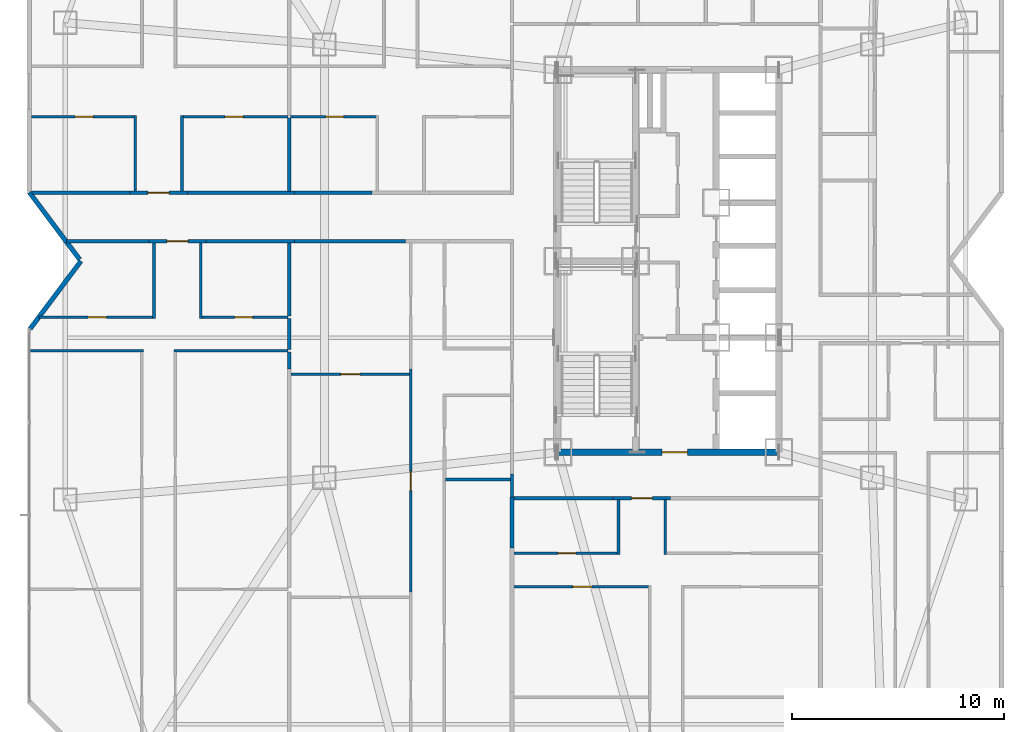
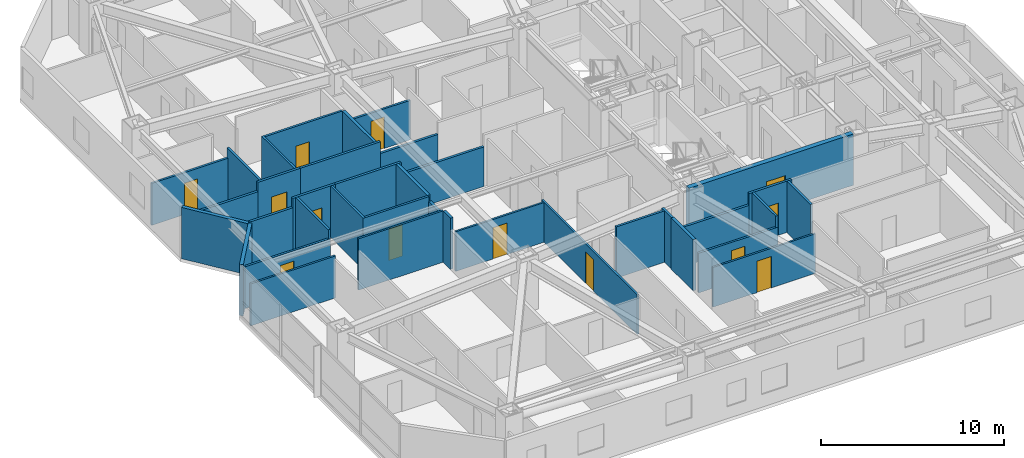
# One storey, part 12 of 18: 37 walls, 13 doors, 13 openings.
"""IFC4 building model written with IfcOpenShell, lengths in metres."""

from ifc_helpers import new_model, si_unit, direction, frame, frame_2d, origin, place, context, subcontext, project, spatial, rectangle, extrude, material, layer, layer_set, type_object, element, fill, save


model = new_model("IFC4")

# Units and contexts
model_context = context("Model", 3, precision=1e-05, world=origin(), true_north=direction((0.0, 1.0)))
body_context = subcontext(model_context, "Body", "Model", "MODEL_VIEW")
ifc_project = project(units=[si_unit("LENGTHUNIT", "METRE"), si_unit("AREAUNIT", "SQUARE_METRE"), si_unit("VOLUMEUNIT", "CUBIC_METRE"), si_unit("PLANEANGLEUNIT", "RADIAN"), si_unit("MASSUNIT", "GRAM", prefix="KILO")], contexts=[model_context])

# Site, building, storey
site_placement = place(None, origin())
site = spatial("IfcSite", under=ifc_project, at=site_placement, CompositionType="ELEMENT")
building_placement = place(site_placement, origin())
building = spatial("IfcBuilding", under=site, at=building_placement, Name="Khamvora Tower", CompositionType="ELEMENT")
storey_placement = place(building_placement, frame((0.0, 0.0, 69.800048828125)))
storey = spatial("IfcBuildingStorey", under=building, at=storey_placement, Name="L17", CompositionType="ELEMENT", Elevation=69.800048828125)

# Wall, opening, door
ifc_material_1 = material(Name="Concrete C50/60", Category="concrete")
ifc_layer_1 = layer(ifc_material_1, 0.300048828125)
ifc_layer_set_1 = layer_set([ifc_layer_1], Name="Concrete C50/60")
wall_type_1 = type_object("IfcWallType", Name="WAL-CORE-300", PredefinedType="SHEAR", material=ifc_layer_set_1)
wall_1_placement = place(storey_placement, frame((29.0, 19.0, 0.0), z_axis=(0.0, 0.0, 1.0), x_axis=(1.0, 0.0, 0.0)))
wall_1 = element("IfcWall", 1, at=wall_1_placement, inside=storey, type_object=wall_type_1, Name="L17 central core south wall", PredefinedType="SHEAR", context=body_context, shape_type="SweptSolid", body=[
    extrude(rectangle(XDim=10.39990234375, YDim=0.300048828125, at=frame_2d((5.199951171875, 0.0))), origin(), (0.0, 0.0, 1.0), 3.429931640625),
])
opening_1_placement = place(wall_1_placement, frame((4.89990234375, 0.0, 0.0)))
opening_1 = element("IfcOpeningElement", 2, at=opening_1_placement, cuts=wall_1, Name="Opening D-CR1", PredefinedType="OPENING", context=body_context, shape_type="SweptSolid", body=[
    extrude(rectangle(XDim=1.199951171875, YDim=2.14990234375, at=frame_2d((0.60009765625, 1.074951171875))), frame((0.0, 0.159912109375, 0.0), z_axis=(0.0, -1.0, 0.0), x_axis=(1.0, 0.0, 0.0)), (0.0, 0.0, 1.0), 0.320068359375),
])
ifc_material_2 = material(Name="Powder-Coated Steel and Hardwood Leaf", Category="steel")
door_type_1 = type_object("IfcDoorType", Name="DOR-CORR-1200", OperationType="NOTDEFINED", PredefinedType="DOOR", material=ifc_material_2)
door_1_placement = place(opening_1_placement, origin())
door_1 = element("IfcDoor", 3, at=door_1_placement, inside=storey, type_object=door_type_1, Name="L17 south core lobby to corridor fire door", OperationType="SINGLE_SWING_RIGHT", OverallHeight=2.14990234375, OverallWidth=1.199951171875, PredefinedType="DOOR", context=body_context, shape_type="SweptSolid", body=[
    extrude(rectangle(XDim=1.199951171875, YDim=2.14990234375, at=frame_2d((0.60009765625, 1.074951171875))), frame((0.0, 0.02490234375, 0.0), z_axis=(0.0, -1.0, 0.0), x_axis=(1.0, 0.0, 0.0)), (0.0, 0.0, 1.0), 0.050048828125),
])
fill(opening_1, door_1)

ifc_material_3 = material(Name="Fire-Rated Drywall and Steel Stud", Category="steel")
ifc_layer_2 = layer(ifc_material_3, 0.14990234375)
ifc_layer_set_2 = layer_set([ifc_layer_2], Name="Fire-Rated Drywall and Steel Stud")
wall_type_2 = type_object("IfcWallType", Name="WAL-CORR-150", PredefinedType="STANDARD", material=ifc_layer_set_2)
wall_2_placement = place(storey_placement, frame((12.431884765625, 28.93505859375, 0.0), z_axis=(0.0, 0.0, 1.0), x_axis=(-1.0, 0.0, 0.0)))
wall_2 = element("IfcWall", 4, at=wall_2_placement, inside=storey, type_object=wall_type_2, Name="L17 interior partition wall 007", PredefinedType="STANDARD", context=body_context, shape_type="SweptSolid", body=[
    extrude(rectangle(XDim=2.697998046875, YDim=0.14990234375, at=frame_2d((1.34912109375, 0.0))), origin(), (0.0, 0.0, 1.0), 3.429931640625),
])
opening_2_placement = place(wall_2_placement, frame((0.84912109375, 0.0, 0.0)))
opening_2 = element("IfcOpeningElement", 5, at=opening_2_placement, cuts=wall_2, Name="Opening D-U1", PredefinedType="OPENING", context=body_context, shape_type="SweptSolid", body=[
    extrude(rectangle(XDim=1.0, YDim=2.14990234375, at=frame_2d((0.5, 1.074951171875))), frame((0.0, 0.0849609375, 0.0), z_axis=(0.0, -1.0, 0.0), x_axis=(1.0, 0.0, 0.0)), (0.0, 0.0, 1.0), 0.169921875),
])
door_type_2 = type_object("IfcDoorType", Name="DOR-UNIT-1000", OperationType="NOTDEFINED", PredefinedType="DOOR", material=ifc_material_2)
door_2_placement = place(opening_2_placement, origin())
door_2 = element("IfcDoor", 6, at=door_2_placement, inside=storey, type_object=door_type_2, Name="L17 interior door COR-17WA1H", OperationType="SINGLE_SWING_LEFT", OverallHeight=2.14990234375, OverallWidth=1.0, PredefinedType="DOOR", context=body_context, shape_type="SweptSolid", body=[
    extrude(rectangle(XDim=1.0, YDim=2.14990234375, at=frame_2d((0.5, 1.074951171875))), frame((0.0, 0.02490234375, 0.0), z_axis=(0.0, -1.0, 0.0), x_axis=(1.0, 0.0, 0.0)), (0.0, 0.0, 1.0), 0.050048828125),
])
fill(opening_2, door_2)

# Walls
wall_3_placement = place(storey_placement, frame((16.595947265625, 28.93505859375, 0.0), z_axis=(0.0, 0.0, 1.0), x_axis=(-1.0, 0.0, 0.0)))
element("IfcWall", 7, at=wall_3_placement, inside=storey, type_object=wall_type_2, Name="L17 interior partition wall 008", PredefinedType="STANDARD", context=body_context, shape_type="SweptSolid", body=[
    extrude(rectangle(XDim=4.1640625, YDim=0.14990234375, at=frame_2d((2.08203125, 0.0))), origin(), (0.0, 0.0, 1.0), 3.429931640625),
])
wall_4_placement = place(storey_placement, frame((9.73388671875, 28.93505859375, 0.0), z_axis=(0.0, 0.0, 1.0), x_axis=(-1.0, 0.0, 0.0)))
element("IfcWall", 8, at=wall_4_placement, inside=storey, type_object=wall_type_2, Name="L17 interior partition wall 009", PredefinedType="STANDARD", context=body_context, shape_type="SweptSolid", body=[
    extrude(rectangle(XDim=3.884765625, YDim=0.14990234375, at=frame_2d((1.9423828125, 0.0))), origin(), (0.0, 0.0, 1.0), 2.802978515625),
])
wall_5_placement = place(storey_placement, frame((26.8349609375, 16.89990234375, 0.0), z_axis=(0.0, 0.0, 1.0), x_axis=(0.0, 1.0, 0.0)))
element("IfcWall", 9, at=wall_5_placement, inside=storey, type_object=wall_type_2, Name="L17 interior partition wall 010", PredefinedType="STANDARD", context=body_context, shape_type="SweptSolid", body=[
    extrude(rectangle(XDim=1.068115234375, YDim=0.14990234375, at=frame_2d((0.5341796875, 0.0))), origin(), (0.0, 0.0, 1.0), 3.429931640625),
])
wall_6_placement = place(storey_placement, frame((21.821044921875, 28.93505859375, 0.0), z_axis=(0.0, 0.0, 1.0), x_axis=(-1.0, 0.0, 0.0)))
element("IfcWall", 10, at=wall_6_placement, inside=storey, type_object=wall_type_2, Name="L17 interior partition wall 016", PredefinedType="STANDARD", context=body_context, shape_type="SweptSolid", body=[
    extrude(rectangle(XDim=5.22509765625, YDim=0.14990234375, at=frame_2d((2.612548828125, 0.0))), origin(), (0.0, 0.0, 1.0), 2.64697265625),
])

# Wall, opening, door
wall_7_placement = place(storey_placement, frame((8.846923828125, 31.215087890625, 0.0), z_axis=(0.0, 0.0, 1.0), x_axis=(1.0, 0.0, 0.0)))
wall_7 = element("IfcWall", 11, at=wall_7_placement, inside=storey, type_object=wall_type_2, Name="L17 interior partition wall 017", PredefinedType="STANDARD", context=body_context, shape_type="SweptSolid", body=[
    extrude(rectangle(XDim=2.697998046875, YDim=0.14990234375, at=frame_2d((1.34912109375, 0.0))), origin(), (0.0, 0.0, 1.0), 3.429931640625),
])
opening_3_placement = place(wall_7_placement, frame((0.84912109375, 0.0, 0.0)))
opening_3 = element("IfcOpeningElement", 12, at=opening_3_placement, cuts=wall_7, Name="Opening D-U1", PredefinedType="OPENING", context=body_context, shape_type="SweptSolid", body=[
    extrude(rectangle(XDim=1.0, YDim=2.14990234375, at=frame_2d((0.5, 1.074951171875))), frame((0.0, 0.0849609375, 0.0), z_axis=(0.0, -1.0, 0.0), x_axis=(1.0, 0.0, 0.0)), (0.0, 0.0, 1.0), 0.169921875),
])
door_3_placement = place(opening_3_placement, origin())
door_3 = element("IfcDoor", 13, at=door_3_placement, inside=storey, type_object=door_type_2, Name="L17 interior door COR-17WB1H", OperationType="SINGLE_SWING_LEFT", OverallHeight=2.14990234375, OverallWidth=1.0, PredefinedType="DOOR", context=body_context, shape_type="SweptSolid", body=[
    extrude(rectangle(XDim=1.0, YDim=2.14990234375, at=frame_2d((0.5, 1.074951171875))), frame((0.0, 0.02490234375, 0.0), z_axis=(0.0, -1.0, 0.0), x_axis=(1.0, 0.0, 0.0)), (0.0, 0.0, 1.0), 0.050048828125),
])
fill(opening_3, door_3)

# Walls
wall_8_placement = place(storey_placement, frame((4.238037109375, 31.215087890625, 0.0), z_axis=(0.0, 0.0, 1.0), x_axis=(1.0, 0.0, 0.0)))
element("IfcWall", 14, at=wall_8_placement, inside=storey, type_object=wall_type_2, Name="L17 interior partition wall 018", PredefinedType="STANDARD", context=body_context, shape_type="SweptSolid", body=[
    extrude(rectangle(XDim=4.60888671875, YDim=0.14990234375, at=frame_2d((2.304443359375, 0.0))), origin(), (0.0, 0.0, 1.0), 2.802978515625),
])
wall_9_placement = place(storey_placement, frame((11.544921875, 31.215087890625, 0.0), z_axis=(0.0, 0.0, 1.0), x_axis=(1.0, 0.0, 0.0)))
element("IfcWall", 15, at=wall_9_placement, inside=storey, type_object=wall_type_2, Name="L17 interior partition wall 019", PredefinedType="STANDARD", context=body_context, shape_type="SweptSolid", body=[
    extrude(rectangle(XDim=5.051025390625, YDim=0.14990234375, at=frame_2d((2.525390625, 0.0))), origin(), (0.0, 0.0, 1.0), 3.429931640625),
])
wall_10_placement = place(storey_placement, frame((16.595947265625, 31.215087890625, 0.0), z_axis=(0.0, 0.0, 1.0), x_axis=(1.0, 0.0, 0.0)))
element("IfcWall", 16, at=wall_10_placement, inside=storey, type_object=wall_type_2, Name="L17 interior partition wall 022", PredefinedType="STANDARD", context=body_context, shape_type="SweptSolid", body=[
    extrude(rectangle(XDim=3.64599609375, YDim=0.14990234375, at=frame_2d((1.822998046875, 0.0))), origin(), (0.0, 0.0, 1.0), 2.64697265625),
])

# Wall, opening, door
wall_11_placement = place(storey_placement, frame((34.299072265625, 16.8349609375, 0.0), z_axis=(0.0, 0.0, 1.0), x_axis=(-1.0, 0.0, 0.0)))
wall_11 = element("IfcWall", 17, at=wall_11_placement, inside=storey, type_object=wall_type_2, Name="L17 interior partition wall 026", PredefinedType="STANDARD", context=body_context, shape_type="SweptSolid", body=[
    extrude(rectangle(XDim=2.697998046875, YDim=0.14990234375, at=frame_2d((1.34912109375, 0.0))), origin(), (0.0, 0.0, 1.0), 3.429931640625),
])
opening_4_placement = place(wall_11_placement, frame((0.84912109375, 0.0, 0.0)))
opening_4 = element("IfcOpeningElement", 18, at=opening_4_placement, cuts=wall_11, Name="Opening D-U1", PredefinedType="OPENING", context=body_context, shape_type="SweptSolid", body=[
    extrude(rectangle(XDim=1.0, YDim=2.14990234375, at=frame_2d((0.5, 1.074951171875))), frame((0.0, 0.0849609375, 0.0), z_axis=(0.0, -1.0, 0.0), x_axis=(1.0, 0.0, 0.0)), (0.0, 0.0, 1.0), 0.169921875),
])
door_4_placement = place(opening_4_placement, origin())
door_4 = element("IfcDoor", 19, at=door_4_placement, inside=storey, type_object=door_type_2, Name="L17 interior door COR-17SAH", OperationType="SINGLE_SWING_LEFT", OverallHeight=2.14990234375, OverallWidth=1.0, PredefinedType="DOOR", context=body_context, shape_type="SweptSolid", body=[
    extrude(rectangle(XDim=1.0, YDim=2.14990234375, at=frame_2d((0.5, 1.074951171875))), frame((0.0, 0.02490234375, 0.0), z_axis=(0.0, -1.0, 0.0), x_axis=(1.0, 0.0, 0.0)), (0.0, 0.0, 1.0), 0.050048828125),
])
fill(opening_4, door_4)

# Walls
wall_12_placement = place(storey_placement, frame((31.60107421875, 16.8349609375, 0.0), z_axis=(0.0, 0.0, 1.0), x_axis=(-1.0, 0.0, 0.0)))
element("IfcWall", 20, at=wall_12_placement, inside=storey, type_object=wall_type_2, Name="L17 interior partition wall 027", PredefinedType="STANDARD", context=body_context, shape_type="SweptSolid", body=[
    extrude(rectangle(XDim=4.701171875, YDim=0.14990234375, at=frame_2d((2.3505859375, 0.0))), origin(), (0.0, 0.0, 1.0), 2.64697265625),
])
ifc_material_4 = material(Name="Acoustic Double-Stud Fire Wall", Category="gypsum")
ifc_layer_3 = layer(ifc_material_4, 0.179931640625)
ifc_layer_set_3 = layer_set([ifc_layer_3], Name="Acoustic Double-Stud Fire Wall")
wall_type_3 = type_object("IfcWallType", Name="WAL-CORR-180", PredefinedType="STANDARD", material=ifc_layer_set_3)
wall_13_placement = place(storey_placement, frame((16.345947265625, 25.2900390625, 0.0), z_axis=(0.0, 0.0, 1.0), x_axis=(0.0, -1.0, 0.0)))
element("IfcWall", 21, at=wall_13_placement, inside=storey, type_object=wall_type_3, Name="L17 interior partition wall 059", PredefinedType="STANDARD", context=body_context, shape_type="SweptSolid", body=[
    extrude(rectangle(XDim=1.449951171875, YDim=0.179931640625, at=frame_2d((0.72509765625, 0.0))), origin(), (0.0, 0.0, 1.0), 3.10693359375),
])
wall_14_placement = place(storey_placement, frame((16.345947265625, 28.867919921875, 0.0), z_axis=(0.0, 0.0, 1.0), x_axis=(0.0, -1.0, 0.0)))
element("IfcWall", 22, at=wall_14_placement, inside=storey, type_object=wall_type_3, Name="L17 interior partition wall 060", PredefinedType="STANDARD", context=body_context, shape_type="SweptSolid", body=[
    extrude(rectangle(XDim=3.447998046875, YDim=0.179931640625, at=frame_2d((1.72412109375, 0.0))), origin(), (0.0, 0.0, 1.0), 3.429931640625),
])
wall_15_placement = place(storey_placement, frame((16.345947265625, 23.7099609375, 0.0), z_axis=(0.0, 0.0, 1.0), x_axis=(0.0, -1.0, 0.0)))
element("IfcWall", 23, at=wall_15_placement, inside=storey, type_object=wall_type_3, Name="L17 interior partition wall 065", PredefinedType="STANDARD", context=body_context, shape_type="SweptSolid", body=[
    extrude(rectangle(XDim=0.7978515625, YDim=0.179931640625, at=frame_2d((0.39892578125, 0.0))), origin(), (0.0, 0.0, 1.0), 3.429931640625),
])
wall_16_placement = place(storey_placement, frame((26.8349609375, 16.89990234375, 0.0), z_axis=(0.0, 0.0, 1.0), x_axis=(0.0, -1.0, 0.0)))
element("IfcWall", 24, at=wall_16_placement, inside=storey, type_object=wall_type_3, Name="L17 interior partition wall 069", PredefinedType="STANDARD", context=body_context, shape_type="SweptSolid", body=[
    extrude(rectangle(XDim=2.40478515625, YDim=0.179931640625, at=frame_2d((1.202392578125, 0.0))), origin(), (0.0, 0.0, 1.0), 3.429931640625),
])
wall_17_placement = place(storey_placement, frame((16.345947265625, 34.72998046875, 0.0), z_axis=(0.0, 0.0, 1.0), x_axis=(0.0, -1.0, 0.0)))
element("IfcWall", 25, at=wall_17_placement, inside=storey, type_object=wall_type_3, Name="L17 interior partition wall 092", PredefinedType="STANDARD", context=body_context, shape_type="SweptSolid", body=[
    extrude(rectangle(XDim=3.449951171875, YDim=0.179931640625, at=frame_2d((1.72509765625, 0.0))), origin(), (0.0, 0.0, 1.0), 3.429931640625),
])
ifc_material_5 = material(Name="Precast concrete C40/50", Category="concrete")
ifc_layer_4 = layer(ifc_material_5, 0.219970703125)
ifc_layer_set_4 = layer_set([ifc_layer_4], Name="Precast concrete C40/50")
wall_type_4 = type_object("IfcWallType", Name="WAL-EXT-220", PredefinedType="STANDARD", material=ifc_layer_set_4)
wall_18_placement = place(storey_placement, frame((4.14501953125, 24.80908203125, 0.0), z_axis=(0.0, 0.0, 1.0), x_axis=(0.599823674734, 0.800132213592, 0.0)))
element("IfcWall", 26, at=wall_18_placement, inside=storey, type_object=wall_type_4, Name="L17 exterior facade wall 03.1", PredefinedType="STANDARD", context=body_context, shape_type="SweptSolid", body=[
    extrude(rectangle(XDim=3.988037109375, YDim=0.219970703125, at=frame_2d((1.994140625, 0.0))), origin(), (0.0, 0.0, 1.0), 3.429931640625),
])
wall_19_placement = place(storey_placement, frame((6.47998046875, 28.076904296875, 0.0), z_axis=(0.0, 0.0, 1.0), x_axis=(-0.599960442794, 0.800029666377, 0.0)))
element("IfcWall", 27, at=wall_19_placement, inside=storey, type_object=wall_type_4, Name="L17 exterior facade wall 04.1", PredefinedType="STANDARD", context=body_context, shape_type="SweptSolid", body=[
    extrude(rectangle(XDim=3.949951171875, YDim=0.219970703125, at=frame_2d((1.97509765625, 0.0))), origin(), (0.0, 0.0, 1.0), 3.429931640625),
])
ifc_material_6 = material(Name="Gypsum Plasterboard Partition", Category="gypsum")
ifc_layer_5 = layer(ifc_material_6, 0.1201171875)
ifc_layer_set_5 = layer_set([ifc_layer_5], Name="Gypsum Plasterboard Partition")
wall_type_5 = type_object("IfcWallType", Name="WAL-PART-120", PredefinedType="PARTITIONING", material=ifc_layer_set_5)
wall_20_placement = place(storey_placement, frame((9.47607421875, 23.77490234375, 0.0), z_axis=(0.0, 0.0, 1.0), x_axis=(-1.0, 0.0, 0.0)))
element("IfcWall", 28, at=wall_20_placement, inside=storey, type_object=wall_type_5, Name="L17 interior partition wall 055", PredefinedType="PARTITIONING", context=body_context, shape_type="SweptSolid", body=[
    extrude(rectangle(XDim=5.365966796875, YDim=0.1201171875, at=frame_2d((2.68310546875, 0.0))), origin(), (0.0, 0.0, 1.0), 2.802978515625),
])
wall_21_placement = place(storey_placement, frame((16.281005859375, 23.77490234375, 0.0), z_axis=(0.0, 0.0, 1.0), x_axis=(-1.0, 0.0, 0.0)))
element("IfcWall", 29, at=wall_21_placement, inside=storey, type_object=wall_type_5, Name="L17 interior partition wall 057", PredefinedType="PARTITIONING", context=body_context, shape_type="SweptSolid", body=[
    extrude(rectangle(XDim=5.364990234375, YDim=0.1201171875, at=frame_2d((2.6826171875, 0.0))), origin(), (0.0, 0.0, 1.0), 3.429931640625),
])

# Wall, opening, door
wall_22_placement = place(storey_placement, frame((22.070068359375, 12.422119140625, 0.0), z_axis=(0.0, 0.0, 1.0), x_axis=(0.0, 1.0, 0.0)))
wall_22 = element("IfcWall", 30, at=wall_22_placement, inside=storey, type_object=wall_type_5, Name="L17 interior partition wall 077", PredefinedType="PARTITIONING", context=body_context, shape_type="SweptSolid", body=[
    extrude(rectangle(XDim=10.489990234375, YDim=0.1201171875, at=frame_2d((5.2451171875, 0.0))), origin(), (0.0, 0.0, 1.0), 2.64697265625),
])
opening_5_placement = place(wall_22_placement, frame((4.77392578125, 0.0, 0.0)))
opening_5 = element("IfcOpeningElement", 31, at=opening_5_placement, cuts=wall_22, Name="Opening D-RM1", PredefinedType="OPENING", context=body_context, shape_type="SweptSolid", body=[
    extrude(rectangle(XDim=0.89990234375, YDim=2.10009765625, at=frame_2d((0.449951171875, 1.050048828125))), frame((0.0, 0.070068359375, 0.0), z_axis=(0.0, -1.0, 0.0), x_axis=(1.0, 0.0, 0.0)), (0.0, 0.0, 1.0), 0.14013671875),
])
door_type_3 = type_object("IfcDoorType", Name="DOR-ROOM-900", OperationType="NOTDEFINED", PredefinedType="DOOR", material=ifc_material_2)
door_5_placement = place(opening_5_placement, origin())
door_5 = element("IfcDoor", 32, at=door_5_placement, inside=storey, type_object=door_type_3, Name="L17 interior door 17WA2H-17WA2R2", OperationType="SINGLE_SWING_LEFT", OverallHeight=2.10009765625, OverallWidth=0.89990234375, PredefinedType="DOOR", context=body_context, shape_type="SweptSolid", body=[
    extrude(rectangle(XDim=0.89990234375, YDim=2.10009765625, at=frame_2d((0.449951171875, 1.050048828125))), frame((0.0, 0.02490234375, 0.0), z_axis=(0.0, -1.0, 0.0), x_axis=(1.0, 0.0, 0.0)), (0.0, 0.0, 1.0), 0.050048828125),
])
fill(opening_5, door_5)

wall_23_placement = place(storey_placement, frame((16.427978515625, 22.6630859375, 0.0), z_axis=(0.0, 0.0, 1.0), x_axis=(1.0, 0.0, 0.0)))
wall_23 = element("IfcWall", 33, at=wall_23_placement, inside=storey, type_object=wall_type_5, Name="L17 interior partition wall 080", PredefinedType="PARTITIONING", context=body_context, shape_type="SweptSolid", body=[
    extrude(rectangle(XDim=5.588134765625, YDim=0.1201171875, at=frame_2d((2.7939453125, 0.0))), origin(), (0.0, 0.0, 1.0), 2.64697265625),
])
opening_6_placement = place(wall_23_placement, frame((2.343994140625, 0.0, 0.0)))
opening_6 = element("IfcOpeningElement", 34, at=opening_6_placement, cuts=wall_23, Name="Opening D-RM1", PredefinedType="OPENING", context=body_context, shape_type="SweptSolid", body=[
    extrude(rectangle(XDim=0.89990234375, YDim=2.10009765625, at=frame_2d((0.449951171875, 1.050048828125))), frame((0.0, 0.070068359375, 0.0), z_axis=(0.0, -1.0, 0.0), x_axis=(1.0, 0.0, 0.0)), (0.0, 0.0, 1.0), 0.14013671875),
])
door_6_placement = place(opening_6_placement, origin())
door_6 = element("IfcDoor", 35, at=door_6_placement, inside=storey, type_object=door_type_3, Name="L17 interior door 17WA2R2-17WA2R3", OperationType="SINGLE_SWING_RIGHT", OverallHeight=2.10009765625, OverallWidth=0.89990234375, PredefinedType="DOOR", context=body_context, shape_type="SweptSolid", body=[
    extrude(rectangle(XDim=0.89990234375, YDim=2.10009765625, at=frame_2d((0.449951171875, 1.050048828125))), frame((0.0, 0.02490234375, 0.0), z_axis=(0.0, -1.0, 0.0), x_axis=(1.0, 0.0, 0.0)), (0.0, 0.0, 1.0), 0.050048828125),
])
fill(opening_6, door_6)

wall_24_placement = place(storey_placement, frame((33.3798828125, 12.666015625, 0.0), z_axis=(0.0, 0.0, 1.0), x_axis=(-1.0, 0.0, 0.0)))
wall_24 = element("IfcWall", 36, at=wall_24_placement, inside=storey, type_object=wall_type_5, Name="L17 interior partition wall 116", PredefinedType="PARTITIONING", context=body_context, shape_type="SweptSolid", body=[
    extrude(rectangle(XDim=6.462890625, YDim=0.1201171875, at=frame_2d((3.2314453125, 0.0))), origin(), (0.0, 0.0, 1.0), 2.64697265625),
])
opening_7_placement = place(wall_24_placement, frame((2.781005859375, 0.0, 0.0)))
opening_7 = element("IfcOpeningElement", 37, at=opening_7_placement, cuts=wall_24, Name="Opening D-RM1", PredefinedType="OPENING", context=body_context, shape_type="SweptSolid", body=[
    extrude(rectangle(XDim=0.89990234375, YDim=2.10009765625, at=frame_2d((0.449951171875, 1.050048828125))), frame((0.0, 0.070068359375, 0.0), z_axis=(0.0, -1.0, 0.0), x_axis=(1.0, 0.0, 0.0)), (0.0, 0.0, 1.0), 0.14013671875),
])
door_7_placement = place(opening_7_placement, origin())
door_7 = element("IfcDoor", 38, at=door_7_placement, inside=storey, type_object=door_type_3, Name="L17 interior door 17SAH-17SAR2", OperationType="SINGLE_SWING_LEFT", OverallHeight=2.10009765625, OverallWidth=0.89990234375, PredefinedType="DOOR", context=body_context, shape_type="SweptSolid", body=[
    extrude(rectangle(XDim=0.89990234375, YDim=2.10009765625, at=frame_2d((0.449951171875, 1.050048828125))), frame((0.0, 0.02490234375, 0.0), z_axis=(0.0, -1.0, 0.0), x_axis=(1.0, 0.0, 0.0)), (0.0, 0.0, 1.0), 0.050048828125),
])
fill(opening_7, door_7)

# Wall
ifc_material_7 = material(Name="Moisture-Resistant Plasterboard Partition", Category="gypsum")
ifc_layer_6 = layer(ifc_material_7, 0.135009765625)
ifc_layer_set_6 = layer_set([ifc_layer_6], Name="Moisture-Resistant Plasterboard Partition")
wall_type_6 = type_object("IfcWallType", Name="WAL-WET-135", PredefinedType="PARTITIONING", material=ifc_layer_set_6)
wall_25_placement = place(storey_placement, frame((12.18310546875, 28.867919921875, 0.0), z_axis=(0.0, 0.0, 1.0), x_axis=(0.0, -1.0, 0.0)))
element("IfcWall", 39, at=wall_25_placement, inside=storey, type_object=wall_type_6, Name="L17 interior partition wall 049", PredefinedType="PARTITIONING", context=body_context, shape_type="SweptSolid", body=[
    extrude(rectangle(XDim=3.577880859375, YDim=0.135009765625, at=frame_2d((1.7890625, 0.0))), origin(), (0.0, 0.0, 1.0), 3.429931640625),
])

# Wall, opening, door
wall_26_placement = place(storey_placement, frame((12.117919921875, 25.35498046875, 0.0), z_axis=(0.0, 0.0, 1.0), x_axis=(1.0, 0.0, 0.0)))
wall_26 = element("IfcWall", 40, at=wall_26_placement, inside=storey, type_object=wall_type_6, Name="L17 interior partition wall 050", PredefinedType="PARTITIONING", context=body_context, shape_type="SweptSolid", body=[
    extrude(rectangle(XDim=4.1630859375, YDim=0.135009765625, at=frame_2d((2.08154296875, 0.0))), origin(), (0.0, 0.0, 1.0), 3.429931640625),
])
opening_8_placement = place(wall_26_placement, frame((1.656982421875, 0.0, 0.0)))
opening_8 = element("IfcOpeningElement", 41, at=opening_8_placement, cuts=wall_26, Name="Opening D-WC1", PredefinedType="OPENING", context=body_context, shape_type="SweptSolid", body=[
    extrude(rectangle(XDim=0.85009765625, YDim=2.10009765625, at=frame_2d((0.425048828125, 1.050048828125))), frame((0.0, 0.077392578125, 0.0), z_axis=(0.0, -1.0, 0.0), x_axis=(1.0, 0.0, 0.0)), (0.0, 0.0, 1.0), 0.155029296875),
])
door_type_4 = type_object("IfcDoorType", Name="DOR-WET-850", OperationType="NOTDEFINED", PredefinedType="DOOR", material=ifc_material_2)
door_8_placement = place(opening_8_placement, origin())
door_8 = element("IfcDoor", 42, at=door_8_placement, inside=storey, type_object=door_type_4, Name="L17 interior door 17WA1H-17WA1B", OperationType="SINGLE_SWING_LEFT", OverallHeight=2.10009765625, OverallWidth=0.85009765625, PredefinedType="DOOR", context=body_context, shape_type="SweptSolid", body=[
    extrude(rectangle(XDim=0.85009765625, YDim=2.10009765625, at=frame_2d((0.425048828125, 1.050048828125))), frame((0.0, 0.02490234375, 0.0), z_axis=(0.0, -1.0, 0.0), x_axis=(1.0, 0.0, 0.0)), (0.0, 0.0, 1.0), 0.050048828125),
])
fill(opening_8, door_8)

wall_27_placement = place(storey_placement, frame((4.568115234375, 25.35498046875, 0.0), z_axis=(0.0, 0.0, 1.0), x_axis=(1.0, 0.0, 0.0)))
wall_27 = element("IfcWall", 43, at=wall_27_placement, inside=storey, type_object=wall_type_6, Name="L17 interior partition wall 051", PredefinedType="PARTITIONING", context=body_context, shape_type="SweptSolid", body=[
    extrude(rectangle(XDim=5.47998046875, YDim=0.135009765625, at=frame_2d((2.739990234375, 0.0))), origin(), (0.0, 0.0, 1.0), 2.802978515625),
])
opening_9_placement = place(wall_27_placement, frame((2.31494140625, 0.0, 0.0)))
opening_9 = element("IfcOpeningElement", 44, at=opening_9_placement, cuts=wall_27, Name="Opening D-RM2", PredefinedType="OPENING", context=body_context, shape_type="SweptSolid", body=[
    extrude(rectangle(XDim=0.85009765625, YDim=2.10009765625, at=frame_2d((0.425048828125, 1.050048828125))), frame((0.0, 0.077392578125, 0.0), z_axis=(0.0, -1.0, 0.0), x_axis=(1.0, 0.0, 0.0)), (0.0, 0.0, 1.0), 0.155029296875),
])
door_type_5 = type_object("IfcDoorType", Name="DOR-ROOM-850", OperationType="NOTDEFINED", PredefinedType="DOOR", material=ifc_material_2)
door_9_placement = place(opening_9_placement, origin())
door_9 = element("IfcDoor", 45, at=door_9_placement, inside=storey, type_object=door_type_5, Name="L17 interior door 17WA1H-17WA1K", OperationType="SINGLE_SWING_RIGHT", OverallHeight=2.10009765625, OverallWidth=0.85009765625, PredefinedType="DOOR", context=body_context, shape_type="SweptSolid", body=[
    extrude(rectangle(XDim=0.85009765625, YDim=2.10009765625, at=frame_2d((0.425048828125, 1.050048828125))), frame((0.0, 0.02490234375, 0.0), z_axis=(0.0, -1.0, 0.0), x_axis=(1.0, 0.0, 0.0)), (0.0, 0.0, 1.0), 0.050048828125),
])
fill(opening_9, door_9)

# Walls
wall_28_placement = place(storey_placement, frame((9.98291015625, 25.2900390625, 0.0), z_axis=(0.0, 0.0, 1.0), x_axis=(0.0, 1.0, 0.0)))
element("IfcWall", 46, at=wall_28_placement, inside=storey, type_object=wall_type_6, Name="L17 interior partition wall 052", PredefinedType="PARTITIONING", context=body_context, shape_type="SweptSolid", body=[
    extrude(rectangle(XDim=3.577880859375, YDim=0.135009765625, at=frame_2d((1.7890625, 0.0))), origin(), (0.0, 0.0, 1.0), 3.429931640625),
])
wall_29_placement = place(storey_placement, frame((23.715087890625, 17.718994140625, 0.0), z_axis=(0.0, 0.0, 1.0), x_axis=(1.0, 0.0, 0.0)))
element("IfcWall", 47, at=wall_29_placement, inside=storey, type_object=wall_type_6, Name="L17 interior partition wall 067", PredefinedType="PARTITIONING", context=body_context, shape_type="SweptSolid", body=[
    extrude(rectangle(XDim=3.054931640625, YDim=0.135009765625, at=frame_2d((1.52734375, 0.0))), origin(), (0.0, 0.0, 1.0), 3.429931640625),
])
wall_30_placement = place(storey_placement, frame((9.095947265625, 31.280029296875, 0.0), z_axis=(0.0, 0.0, 1.0), x_axis=(0.0, 1.0, 0.0)))
element("IfcWall", 48, at=wall_30_placement, inside=storey, type_object=wall_type_6, Name="L17 interior partition wall 081", PredefinedType="PARTITIONING", context=body_context, shape_type="SweptSolid", body=[
    extrude(rectangle(XDim=3.580078125, YDim=0.135009765625, at=frame_2d((1.7900390625, 0.0))), origin(), (0.0, 0.0, 1.0), 3.429931640625),
])

# Wall, opening, door
wall_31_placement = place(storey_placement, frame((9.160888671875, 34.794921875, 0.0), z_axis=(0.0, 0.0, 1.0), x_axis=(-1.0, 0.0, 0.0)))
wall_31 = element("IfcWall", 49, at=wall_31_placement, inside=storey, type_object=wall_type_6, Name="L17 interior partition wall 082", PredefinedType="PARTITIONING", context=body_context, shape_type="SweptSolid", body=[
    extrude(rectangle(XDim=4.948974609375, YDim=0.135009765625, at=frame_2d((2.474609375, 0.0))), origin(), (0.0, 0.0, 1.0), 2.802978515625),
])
opening_10_placement = place(wall_31_placement, frame((2.050048828125, 0.0, 0.0)))
opening_10 = element("IfcOpeningElement", 50, at=opening_10_placement, cuts=wall_31, Name="Opening D-WC1", PredefinedType="OPENING", context=body_context, shape_type="SweptSolid", body=[
    extrude(rectangle(XDim=0.85009765625, YDim=2.10009765625, at=frame_2d((0.425048828125, 1.050048828125))), frame((0.0, 0.077392578125, 0.0), z_axis=(0.0, -1.0, 0.0), x_axis=(1.0, 0.0, 0.0)), (0.0, 0.0, 1.0), 0.155029296875),
])
door_10_placement = place(opening_10_placement, origin())
door_10 = element("IfcDoor", 51, at=door_10_placement, inside=storey, type_object=door_type_4, Name="L17 interior door 17WB1H-17WB1B", OperationType="SINGLE_SWING_LEFT", OverallHeight=2.10009765625, OverallWidth=0.85009765625, PredefinedType="DOOR", context=body_context, shape_type="SweptSolid", body=[
    extrude(rectangle(XDim=0.85009765625, YDim=2.10009765625, at=frame_2d((0.425048828125, 1.050048828125))), frame((0.0, 0.02490234375, 0.0), z_axis=(0.0, -1.0, 0.0), x_axis=(1.0, 0.0, 0.0)), (0.0, 0.0, 1.0), 0.050048828125),
])
fill(opening_10, door_10)

wall_32_placement = place(storey_placement, frame((16.281005859375, 34.794921875, 0.0), z_axis=(0.0, 0.0, 1.0), x_axis=(-1.0, 0.0, 0.0)))
wall_32 = element("IfcWall", 52, at=wall_32_placement, inside=storey, type_object=wall_type_6, Name="L17 interior partition wall 083", PredefinedType="PARTITIONING", context=body_context, shape_type="SweptSolid", body=[
    extrude(rectangle(XDim=5.050048828125, YDim=0.135009765625, at=frame_2d((2.52490234375, 0.0))), origin(), (0.0, 0.0, 1.0), 3.429931640625),
])
opening_11_placement = place(wall_32_placement, frame((2.10009765625, 0.0, 0.0)))
opening_11 = element("IfcOpeningElement", 53, at=opening_11_placement, cuts=wall_32, Name="Opening D-RM2", PredefinedType="OPENING", context=body_context, shape_type="SweptSolid", body=[
    extrude(rectangle(XDim=0.85009765625, YDim=2.10009765625, at=frame_2d((0.425048828125, 1.050048828125))), frame((0.0, 0.077392578125, 0.0), z_axis=(0.0, -1.0, 0.0), x_axis=(1.0, 0.0, 0.0)), (0.0, 0.0, 1.0), 0.155029296875),
])
door_11_placement = place(opening_11_placement, origin())
door_11 = element("IfcDoor", 54, at=door_11_placement, inside=storey, type_object=door_type_5, Name="L17 interior door 17WB1H-17WB1K", OperationType="SINGLE_SWING_RIGHT", OverallHeight=2.10009765625, OverallWidth=0.85009765625, PredefinedType="DOOR", context=body_context, shape_type="SweptSolid", body=[
    extrude(rectangle(XDim=0.85009765625, YDim=2.10009765625, at=frame_2d((0.425048828125, 1.050048828125))), frame((0.0, 0.02490234375, 0.0), z_axis=(0.0, -1.0, 0.0), x_axis=(1.0, 0.0, 0.0)), (0.0, 0.0, 1.0), 0.050048828125),
])
fill(opening_11, door_11)

# Wall
wall_33_placement = place(storey_placement, frame((11.2958984375, 34.860107421875, 0.0), z_axis=(0.0, 0.0, 1.0), x_axis=(0.0, -1.0, 0.0)))
element("IfcWall", 55, at=wall_33_placement, inside=storey, type_object=wall_type_6, Name="L17 interior partition wall 084", PredefinedType="PARTITIONING", context=body_context, shape_type="SweptSolid", body=[
    extrude(rectangle(XDim=3.580078125, YDim=0.135009765625, at=frame_2d((1.7900390625, 0.0))), origin(), (0.0, 0.0, 1.0), 3.429931640625),
])

# Wall, opening, door
wall_34_placement = place(storey_placement, frame((20.555908203125, 34.794921875, 0.0), z_axis=(0.0, 0.0, 1.0), x_axis=(-1.0, 0.0, 0.0)))
wall_34 = element("IfcWall", 56, at=wall_34_placement, inside=storey, type_object=wall_type_6, Name="L17 interior partition wall 099", PredefinedType="PARTITIONING", context=body_context, shape_type="SweptSolid", body=[
    extrude(rectangle(XDim=4.14501953125, YDim=0.135009765625, at=frame_2d((2.072509765625, 0.0))), origin(), (0.0, 0.0, 1.0), 2.64697265625),
])
opening_12_placement = place(wall_34_placement, frame((1.64697265625, 0.0, 0.0)))
opening_12 = element("IfcOpeningElement", 57, at=opening_12_placement, cuts=wall_34, Name="Opening D-WC1", PredefinedType="OPENING", context=body_context, shape_type="SweptSolid", body=[
    extrude(rectangle(XDim=0.85009765625, YDim=2.10009765625, at=frame_2d((0.425048828125, 1.050048828125))), frame((0.0, 0.077392578125, 0.0), z_axis=(0.0, -1.0, 0.0), x_axis=(1.0, 0.0, 0.0)), (0.0, 0.0, 1.0), 0.155029296875),
])
door_12_placement = place(opening_12_placement, origin())
door_12 = element("IfcDoor", 58, at=door_12_placement, inside=storey, type_object=door_type_4, Name="L17 interior door 17WB2H-17WB2B", OperationType="SINGLE_SWING_RIGHT", OverallHeight=2.10009765625, OverallWidth=0.85009765625, PredefinedType="DOOR", context=body_context, shape_type="SweptSolid", body=[
    extrude(rectangle(XDim=0.85009765625, YDim=2.10009765625, at=frame_2d((0.425048828125, 1.050048828125))), frame((0.0, 0.02490234375, 0.0), z_axis=(0.0, -1.0, 0.0), x_axis=(1.0, 0.0, 0.0)), (0.0, 0.0, 1.0), 0.050048828125),
])
fill(opening_12, door_12)

wall_35_placement = place(storey_placement, frame((26.9169921875, 14.24609375, 0.0), z_axis=(0.0, 0.0, 1.0), x_axis=(1.0, 0.0, 0.0)))
wall_35 = element("IfcWall", 59, at=wall_35_placement, inside=storey, type_object=wall_type_6, Name="L17 interior partition wall 110", PredefinedType="PARTITIONING", context=body_context, shape_type="SweptSolid", body=[
    extrude(rectangle(XDim=4.998046875, YDim=0.135009765625, at=frame_2d((2.4990234375, 0.0))), origin(), (0.0, 0.0, 1.0), 2.64697265625),
])
opening_13_placement = place(wall_35_placement, frame((2.073974609375, 0.0, 0.0)))
opening_13 = element("IfcOpeningElement", 60, at=opening_13_placement, cuts=wall_35, Name="Opening D-WC1", PredefinedType="OPENING", context=body_context, shape_type="SweptSolid", body=[
    extrude(rectangle(XDim=0.85009765625, YDim=2.10009765625, at=frame_2d((0.425048828125, 1.050048828125))), frame((0.0, 0.077392578125, 0.0), z_axis=(0.0, -1.0, 0.0), x_axis=(1.0, 0.0, 0.0)), (0.0, 0.0, 1.0), 0.155029296875),
])
door_13_placement = place(opening_13_placement, origin())
door_13 = element("IfcDoor", 61, at=door_13_placement, inside=storey, type_object=door_type_4, Name="L17 interior door 17SAH-17SAB", OperationType="SINGLE_SWING_RIGHT", OverallHeight=2.10009765625, OverallWidth=0.85009765625, PredefinedType="DOOR", context=body_context, shape_type="SweptSolid", body=[
    extrude(rectangle(XDim=0.85009765625, YDim=2.10009765625, at=frame_2d((0.425048828125, 1.050048828125))), frame((0.0, 0.02490234375, 0.0), z_axis=(0.0, -1.0, 0.0), x_axis=(1.0, 0.0, 0.0)), (0.0, 0.0, 1.0), 0.050048828125),
])
fill(opening_13, door_13)

# Walls
for number, where, z_axis, x_axis, name in (
    (62, (31.85009765625, 14.180908203125, 0.0), (0.0, 0.0, 1.0), (0.0, 1.0, 0.0), "L17 interior partition wall 111"),
    (63, (34.050048828125, 16.77001953125, 0.0), (0.0, 0.0, 1.0), (0.0, -1.0, 0.0), "L17 interior partition wall 112"),
):
    element("IfcWall", number, at=place(storey_placement, frame(where, z_axis=z_axis, x_axis=x_axis)), inside=storey, type_object=wall_type_6, Name=name, PredefinedType="PARTITIONING", context=body_context, shape_type="SweptSolid", body=[
        extrude(rectangle(XDim=2.589111328125, YDim=0.135009765625, at=frame_2d((1.29443359375, 0.0))), origin(), (0.0, 0.0, 1.0), 3.429931640625),
    ])

save(model, "model.ifc")
